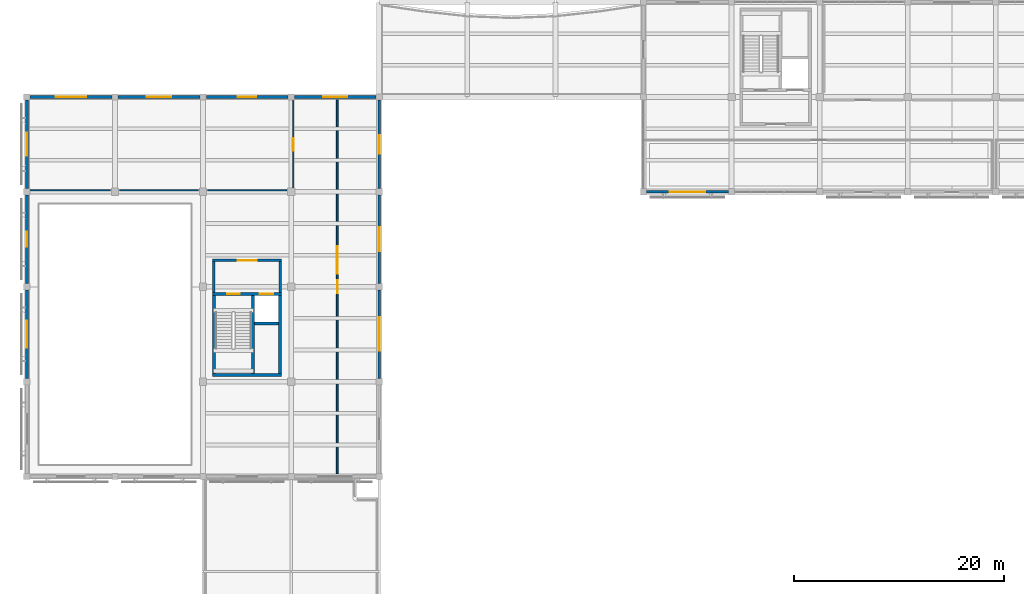
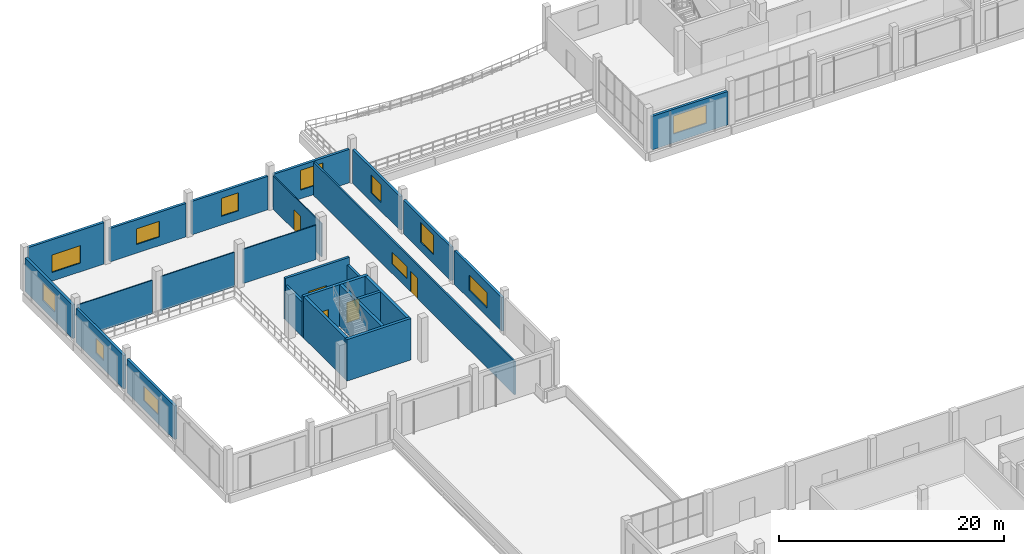
# One storey, part 59 of 80: 25 walls, 12 windows, 5 doors, 17 openings.
"""IFC4 building model written with IfcOpenShell, lengths in metres."""

import ifcopenshell
import ifcopenshell.guid

model = None  # the IFC model being written
_history = None  # IfcOwnerHistory: only IFC2X3 demands one
_inside = {}  # id of a spatial element -> (the spatial element, [elements in it])
_under = {}  # id of a project, library or spatial element -> (it, [spatial elements below it])
_declared = {}  # id of a project -> (the project, [libraries it declares])
_typed = {}  # id of a type object -> (the type object, [elements of that type])
_made_of = {}  # id of a material, layer set ... -> (it, [elements and type objects made of it])


def new_model(schema):
    """Start an empty IFC model of exactly this schema.

    Asked for "IFC4X3", IfcOpenShell would pick the latest addendum, in which some entities
    have other attributes; the version numbers below select the first issue.
    IFC2X3 requires an IfcOwnerHistory on every rooted entity: one is made here for all.
    """
    global model, _history
    if schema == "IFC4X3":
        model = ifcopenshell.file(schema_version=(4, 3, 0, 0))
    else:
        model = ifcopenshell.file(schema=schema)
    _inside.clear()
    _under.clear()
    _declared.clear()
    _typed.clear()
    _made_of.clear()
    _history = None
    if model.schema == "IFC2X3":
        org = make("IfcOrganization", Name="unknown")
        user = make(
            "IfcPersonAndOrganization",
            ThePerson=make("IfcPerson", FamilyName="unknown"),
            TheOrganization=org,
        )
        app = make(
            "IfcApplication",
            ApplicationDeveloper=org,
            Version="unknown",
            ApplicationFullName="unknown",
            ApplicationIdentifier="unknown",
        )
        _history = make(
            "IfcOwnerHistory",
            OwningUser=user,
            OwningApplication=app,
            ChangeAction="ADDED",
            CreationDate=0,
        )
    return model


def make(cls, **values):
    """One entity of the class cls with the attributes given. An attribute that is None is left unset."""
    return model.create_entity(
        cls, **{name: value for name, value in values.items() if value is not None}
    )


def rooted(cls, **values):
    """An entity with a GlobalId (a new one), such as an element, a storey or a relation."""
    return make(cls, GlobalId=ifcopenshell.guid.new(), OwnerHistory=_history, **values)


def si_unit(unit_type, name, prefix=None):
    """IfcSIUnit, for example si_unit("LENGTHUNIT", "METRE", prefix="MILLI")."""
    return make("IfcSIUnit", UnitType=unit_type, Prefix=prefix, Name=name)


def assignment(units):
    """IfcUnitAssignment: the units of a project."""
    return None if units is None else make("IfcUnitAssignment", Units=units)


def point(xyz):
    """IfcCartesianPoint."""
    return None if xyz is None else make("IfcCartesianPoint", Coordinates=xyz)


def direction(xyz):
    """IfcDirection."""
    return None if xyz is None else make("IfcDirection", DirectionRatios=xyz)


def frame(location, z_axis=None, x_axis=None):
    """IfcAxis2Placement3D, a coordinate frame: its origin and axes. An axis left out is left unset."""
    return make(
        "IfcAxis2Placement3D",
        Location=point(location),
        Axis=direction(z_axis),
        RefDirection=direction(x_axis),
    )


def frame_2d(location, x_axis=None):
    """IfcAxis2Placement2D, a coordinate frame in the plane: its origin and x axis."""
    return make(
        "IfcAxis2Placement2D", Location=point(location), RefDirection=direction(x_axis)
    )


def origin():
    """The frame at (0, 0, 0) with its axes left unset."""
    return frame((0.0, 0.0, 0.0))


def place(relative_to, where):
    """IfcLocalPlacement: puts the frame where relative to a parent placement (None: the world)."""
    return make(
        "IfcLocalPlacement", PlacementRelTo=relative_to, RelativePlacement=where
    )


def context(
    kind, dimensions, precision=None, world=None, true_north=None, identifier=None
):
    """IfcGeometricRepresentationContext, for example the 3D "Model" context."""
    return make(
        "IfcGeometricRepresentationContext",
        ContextIdentifier=identifier,
        ContextType=kind,
        CoordinateSpaceDimension=dimensions,
        Precision=precision,
        WorldCoordinateSystem=world,
        TrueNorth=true_north,
    )


def subcontext(parent, identifier, kind, view, scale=None):
    """IfcGeometricRepresentationSubContext, for example "Body" below "Model"."""
    return make(
        "IfcGeometricRepresentationSubContext",
        ContextIdentifier=identifier,
        ContextType=kind,
        ParentContext=parent,
        TargetScale=scale,
        TargetView=view,
    )


def project(units=None, contexts=None):
    """IfcProject with its units and contexts."""
    return rooted(
        "IfcProject",
        Name="project",
        RepresentationContexts=contexts,
        UnitsInContext=assignment(units),
    )


def spatial(cls, under=None, at=None, **own):
    """A site, building, storey or space (cls), placed at a placement, below another one or the project."""
    s = rooted(cls, ObjectPlacement=at, **own)
    if under is not None:
        _under.setdefault(under.id(), (under, []))[1].append(s)
    return s


def profile(cls, at=None, kind="AREA", **sizes):
    """A parametric profile (cls). Its sizes go by their IFC names, for example OverallWidth=200.0."""
    return make(cls, ProfileType=kind, Position=at, **sizes)


def rectangle(**sizes):
    """IfcRectangleProfileDef."""
    return profile("IfcRectangleProfileDef", **sizes)


def extrude(swept, where, along, depth):
    """IfcExtrudedAreaSolid: the profile swept, set in the frame where, extruded along a direction by depth."""
    return make(
        "IfcExtrudedAreaSolid",
        SweptArea=swept,
        Position=where,
        ExtrudedDirection=direction(along),
        Depth=depth,
    )


def shape(context_of_items, identifier, shape_type, items):
    """IfcShapeRepresentation: the items that make up one representation, for example the "Body"."""
    return make(
        "IfcShapeRepresentation",
        ContextOfItems=context_of_items,
        RepresentationIdentifier=identifier,
        RepresentationType=shape_type,
        Items=items,
    )


def material(Name=None, Category=None):
    """IfcMaterial."""
    return make("IfcMaterial", Name=Name, Category=Category)


def layer(
    of_material, thickness, ventilated=None, Name=None, Category=None, Priority=None
):
    """IfcMaterialLayer: one layer of a wall or slab, of a material (None: an air gap)."""
    return make(
        "IfcMaterialLayer",
        Material=of_material,
        LayerThickness=thickness,
        IsVentilated=ventilated,
        Name=Name,
        Category=Category,
        Priority=Priority,
    )


def layer_set(layers, Name=None):
    """IfcMaterialLayerSet."""
    return make("IfcMaterialLayerSet", MaterialLayers=layers, LayerSetName=Name)


def made_of(thing, what):
    """Note that an element or type object is made of a material, layer set ...; save() writes the relation."""
    if what is not None:
        _made_of.setdefault(what.id(), (what, []))[1].append(thing)
    return thing


def type_object(cls, material=None, **own):
    """A type object (cls), such as IfcWallType, which elements share."""
    return made_of(rooted(cls, **own), material)


def element(
    cls,
    number,
    at=None,
    inside=None,
    cuts=None,
    type_object=None,
    material=None,
    context=None,
    identifier="Body",
    shape_type=None,
    held_by="IfcProductDefinitionShape",
    body=None,
    shapes=None,
    **own,
):
    """One element of the class cls, such as IfcWall. Its Tag is "e" and its number.

    at: its placement. inside: the storey or other place that contains it. cuts: it is an
    opening in that element (IfcRelVoidsElement). A single representation is given by context,
    identifier, shape_type and body (its items); several are given by shapes. held_by: the class
    of the entity that holds the representations. save() writes the other relations.
    """
    e = rooted(cls, Tag="e%d" % number, ObjectPlacement=at, **own)
    if body is not None:
        shapes = [shape(context, identifier, shape_type, body)]
    if shapes is not None:
        e.Representation = make(held_by, Representations=shapes)
    if inside is not None:
        _inside.setdefault(inside.id(), (inside, []))[1].append(e)
    if cuts is not None:
        rooted(
            "IfcRelVoidsElement", RelatingBuildingElement=cuts, RelatedOpeningElement=e
        )
    if type_object is not None:
        _typed.setdefault(type_object.id(), (type_object, []))[1].append(e)
    return made_of(e, material)


def fill(opening, filler):
    """IfcRelFillsElement: the door or window that sits in an opening."""
    return rooted(
        "IfcRelFillsElement",
        RelatingOpeningElement=opening,
        RelatedBuildingElement=filler,
    )


def aggregate(whole, parts):
    """IfcRelAggregates: a whole, such as a stair, and the parts it consists of."""
    return rooted("IfcRelAggregates", RelatingObject=whole, RelatedObjects=parts)


def save(model, path):
    """Write the relations noted so far, then the file.

    IfcRelAggregates (storeys below a building ...), IfcRelContainedInSpatialStructure (elements
    in a storey), IfcRelDefinesByType, IfcRelAssociatesMaterial and IfcRelDeclares: one each for
    every whole, place, type object, material and project.
    """
    for whole, parts in _under.values():
        aggregate(whole, parts)
    for where, things in _inside.values():
        rooted(
            "IfcRelContainedInSpatialStructure",
            RelatedElements=things,
            RelatingStructure=where,
        )
    for kind, things in _typed.values():
        rooted("IfcRelDefinesByType", RelatedObjects=things, RelatingType=kind)
    for what, things in _made_of.values():
        rooted("IfcRelAssociatesMaterial", RelatedObjects=things, RelatingMaterial=what)
    for by, libraries in _declared.values():
        rooted("IfcRelDeclares", RelatingContext=by, RelatedDefinitions=libraries)
    model.write(path)


model = new_model("IFC4")

# Units and contexts
model_context = context("Model", 3, precision=1e-05, world=origin(), true_north=direction((0.0, 1.0)))
body_context = subcontext(model_context, "Body", "Model", "MODEL_VIEW")
ifc_project = project(units=[si_unit("LENGTHUNIT", "METRE"), si_unit("AREAUNIT", "SQUARE_METRE"), si_unit("VOLUMEUNIT", "CUBIC_METRE"), si_unit("PLANEANGLEUNIT", "RADIAN"), si_unit("MASSUNIT", "GRAM", prefix="KILO")], contexts=[model_context])

# Site, building, storey
site_placement = place(None, origin())
site = spatial("IfcSite", under=ifc_project, at=site_placement, CompositionType="ELEMENT")
building_placement = place(site_placement, origin())
building = spatial("IfcBuilding", under=site, at=building_placement, Name="Khurvash Pelagic Aquarium", CompositionType="ELEMENT")
storey_placement = place(building_placement, frame((0.0, 0.0, 10.800048828125)))
storey = spatial("IfcBuildingStorey", under=building, at=storey_placement, Name="L02", CompositionType="ELEMENT", Elevation=10.800048828125)

# Wall, opening, window
ifc_material_1 = material(Name="Glass-fibre reinforced concrete C40/50", Category="concrete")
ifc_layer_1 = layer(ifc_material_1, 0.260009765625)
ifc_layer_set_1 = layer_set([ifc_layer_1], Name="Glass-fibre reinforced concrete C40/50")
wall_type_1 = type_object("IfcWallType", Name="EW-260", PredefinedType="STANDARD", material=ifc_layer_set_1)
wall_1_placement = place(storey_placement, frame((59.10498046875, 84.050048828125, 0.0), z_axis=(0.0, 0.0, 1.0), x_axis=(1.0, 0.0, 0.0)))
wall_1 = element("IfcWall", 1, at=wall_1_placement, inside=storey, type_object=wall_type_1, Name="L02 Exterior Architectural Facade Wall EW-260 0083", PredefinedType="STANDARD", context=body_context, shape_type="SweptSolid", body=[
    extrude(rectangle(XDim=7.7900390625, YDim=0.260009765625, at=frame_2d((3.89501953125, 0.0))), origin(), (0.0, 0.0, 1.0), 3.6298828125),
])
opening_1_placement = place(wall_1_placement, frame((2.215087890625, 0.0, 0.949951171875)))
opening_1 = element("IfcOpeningElement", 2, at=opening_1_placement, cuts=wall_1, Name="Opening WN-42", PredefinedType="OPENING", context=body_context, shape_type="SweptSolid", body=[
    extrude(rectangle(XDim=3.360107421875, YDim=1.9599609375, at=frame_2d((1.68017578125, 0.97998046875))), frame((0.0, 0.14013671875, 0.0), z_axis=(0.0, -1.0, 0.0), x_axis=(1.0, 0.0, 0.0)), (0.0, 0.0, 1.0), 0.280029296875),
])
ifc_material_2 = material(Name="Thermally broken aluminium and low-E glass", Category="aluminium")
window_type_1 = type_object("IfcWindowType", Name="WN-42", PartitioningType="SINGLE_PANEL", PredefinedType="WINDOW", material=ifc_material_2)
window_1_placement = place(opening_1_placement, origin())
window_1 = element("IfcWindow", 3, at=window_1_placement, inside=storey, type_object=window_type_1, Name="L02 Facade Window WN-42 0045", OverallHeight=1.9599609375, OverallWidth=3.360107421875, PartitioningType="SINGLE_PANEL", PredefinedType="WINDOW", context=body_context, shape_type="SweptSolid", body=[
    extrude(rectangle(XDim=3.360107421875, YDim=1.9599609375, at=frame_2d((1.68017578125, 0.97998046875))), frame((0.0, 0.030029296875, 0.0), z_axis=(0.0, -1.0, 0.0), x_axis=(1.0, 0.0, 0.0)), (0.0, 0.0, 1.0), 0.06005859375),
])
fill(opening_1, window_1)

wall_2_placement = place(storey_placement, frame((0.0, 92.794921875, 0.0), z_axis=(0.0, 0.0, 1.0), x_axis=(0.0, -1.0, 0.0)))
wall_2 = element("IfcWall", 4, at=wall_2_placement, inside=storey, type_object=wall_type_1, Name="L02 Exterior Architectural Facade Wall EW-260 0091", PredefinedType="STANDARD", context=body_context, shape_type="SweptSolid", body=[
    extrude(rectangle(XDim=8.43994140625, YDim=0.260009765625, at=frame_2d((4.219970703125, 0.0))), origin(), (0.0, 0.0, 1.0), 3.64990234375),
])
opening_2_placement = place(wall_2_placement, frame((3.1201171875, 0.0, 0.949951171875)))
opening_2 = element("IfcOpeningElement", 5, at=opening_2_placement, cuts=wall_2, Name="Opening WN-08", PredefinedType="OPENING", context=body_context, shape_type="SweptSolid", body=[
    extrude(rectangle(XDim=2.199951171875, YDim=1.89990234375, at=frame_2d((1.10009765625, 0.949951171875))), frame((0.0, 0.14013671875, 0.0), z_axis=(0.0, -1.0, 0.0), x_axis=(1.0, 0.0, 0.0)), (0.0, 0.0, 1.0), 0.280029296875),
])
window_type_2 = type_object("IfcWindowType", Name="WN-08", PartitioningType="SINGLE_PANEL", PredefinedType="WINDOW", material=ifc_material_2)
window_2_placement = place(opening_2_placement, origin())
window_2 = element("IfcWindow", 6, at=window_2_placement, inside=storey, type_object=window_type_2, Name="L02 Facade Window WN-08 0053", OverallHeight=1.89990234375, OverallWidth=2.199951171875, PartitioningType="SINGLE_PANEL", PredefinedType="WINDOW", context=body_context, shape_type="SweptSolid", body=[
    extrude(rectangle(XDim=2.199951171875, YDim=1.89990234375, at=frame_2d((1.10009765625, 0.949951171875))), frame((0.0, 0.030029296875, 0.0), z_axis=(0.0, -1.0, 0.0), x_axis=(1.0, 0.0, 0.0)), (0.0, 0.0, 1.0), 0.06005859375),
])
fill(opening_2, window_2)

wall_3_placement = place(storey_placement, frame((0.0, 83.7451171875, 0.0), z_axis=(0.0, 0.0, 1.0), x_axis=(0.0, -1.0, 0.0)))
wall_3 = element("IfcWall", 7, at=wall_3_placement, inside=storey, type_object=wall_type_1, Name="L02 Exterior Architectural Facade Wall EW-260 0092", PredefinedType="STANDARD", context=body_context, shape_type="SweptSolid", body=[
    extrude(rectangle(XDim=8.440185546875, YDim=0.260009765625, at=frame_2d((4.22021484375, 0.0))), origin(), (0.0, 0.0, 1.0), 3.64990234375),
])
opening_3_placement = place(wall_3_placement, frame((3.52001953125, 0.0, 0.949951171875)))
opening_3 = element("IfcOpeningElement", 8, at=opening_3_placement, cuts=wall_3, Name="Opening WN-10", PredefinedType="OPENING", context=body_context, shape_type="SweptSolid", body=[
    extrude(rectangle(XDim=1.39990234375, YDim=1.60009765625, at=frame_2d((0.699951171875, 0.800048828125))), frame((0.0, 0.14013671875, 0.0), z_axis=(0.0, -1.0, 0.0), x_axis=(1.0, 0.0, 0.0)), (0.0, 0.0, 1.0), 0.280029296875),
])
window_type_3 = type_object("IfcWindowType", Name="WN-10", PartitioningType="SINGLE_PANEL", PredefinedType="WINDOW", material=ifc_material_2)
window_3_placement = place(opening_3_placement, origin())
window_3 = element("IfcWindow", 9, at=window_3_placement, inside=storey, type_object=window_type_3, Name="L02 Facade Window WN-10 0054", OverallHeight=1.60009765625, OverallWidth=1.39990234375, PartitioningType="SINGLE_PANEL", PredefinedType="WINDOW", context=body_context, shape_type="SweptSolid", body=[
    extrude(rectangle(XDim=1.39990234375, YDim=1.60009765625, at=frame_2d((0.699951171875, 0.800048828125))), frame((0.0, 0.030029296875, 0.0), z_axis=(0.0, -1.0, 0.0), x_axis=(1.0, 0.0, 0.0)), (0.0, 0.0, 1.0), 0.06005859375),
])
fill(opening_3, window_3)

wall_4_placement = place(storey_placement, frame((0.0, 74.695068359375, 0.0), z_axis=(0.0, 0.0, 1.0), x_axis=(0.0, -1.0, 0.0)))
wall_4 = element("IfcWall", 10, at=wall_4_placement, inside=storey, type_object=wall_type_1, Name="L02 Exterior Architectural Facade Wall EW-260 0093", PredefinedType="STANDARD", context=body_context, shape_type="SweptSolid", body=[
    extrude(rectangle(XDim=8.440185546875, YDim=0.260009765625, at=frame_2d((4.22021484375, 0.0))), origin(), (0.0, 0.0, 1.0), 3.64990234375),
])
opening_4_placement = place(wall_4_placement, frame((2.919921875, 0.0, 0.949951171875)))
opening_4 = element("IfcOpeningElement", 11, at=opening_4_placement, cuts=wall_4, Name="Opening WN-12", PredefinedType="OPENING", context=body_context, shape_type="SweptSolid", body=[
    extrude(rectangle(XDim=2.60009765625, YDim=1.60009765625, at=frame_2d((1.300048828125, 0.800048828125))), frame((0.0, 0.14013671875, 0.0), z_axis=(0.0, -1.0, 0.0), x_axis=(1.0, 0.0, 0.0)), (0.0, 0.0, 1.0), 0.280029296875),
])
window_type_4 = type_object("IfcWindowType", Name="WN-12", PartitioningType="SINGLE_PANEL", PredefinedType="WINDOW", material=ifc_material_2)
window_4_placement = place(opening_4_placement, origin())
window_4 = element("IfcWindow", 12, at=window_4_placement, inside=storey, type_object=window_type_4, Name="L02 Facade Window WN-12 0055", OverallHeight=1.60009765625, OverallWidth=2.60009765625, PartitioningType="SINGLE_PANEL", PredefinedType="WINDOW", context=body_context, shape_type="SweptSolid", body=[
    extrude(rectangle(XDim=2.60009765625, YDim=1.60009765625, at=frame_2d((1.300048828125, 0.800048828125))), frame((0.0, 0.030029296875, 0.0), z_axis=(0.0, -1.0, 0.0), x_axis=(1.0, 0.0, 0.0)), (0.0, 0.0, 1.0), 0.06005859375),
])
fill(opening_4, window_4)

wall_5_placement = place(storey_placement, frame((33.60009765625, 66.2548828125, 0.0), z_axis=(0.0, 0.0, 1.0), x_axis=(0.0, 1.0, 0.0)))
wall_5 = element("IfcWall", 13, at=wall_5_placement, inside=storey, type_object=wall_type_1, Name="L02 Exterior Architectural Facade Wall EW-260 0100", PredefinedType="STANDARD", context=body_context, shape_type="SweptSolid", body=[
    extrude(rectangle(XDim=8.440185546875, YDim=0.260009765625, at=frame_2d((4.22021484375, 0.0))), origin(), (0.0, 0.0, 1.0), 3.64990234375),
])
opening_5_placement = place(wall_5_placement, frame((2.6201171875, 0.0, 0.949951171875)))
opening_5 = element("IfcOpeningElement", 14, at=opening_5_placement, cuts=wall_5, Name="Opening WN-18", PredefinedType="OPENING", context=body_context, shape_type="SweptSolid", body=[
    extrude(rectangle(XDim=3.199951171875, YDim=1.64990234375, at=frame_2d((1.60009765625, 0.824951171875))), frame((0.0, 0.14013671875, 0.0), z_axis=(0.0, -1.0, 0.0), x_axis=(1.0, 0.0, 0.0)), (0.0, 0.0, 1.0), 0.280029296875),
])
window_type_5 = type_object("IfcWindowType", Name="WN-18", PartitioningType="SINGLE_PANEL", PredefinedType="WINDOW", material=ifc_material_2)
window_5_placement = place(opening_5_placement, origin())
window_5 = element("IfcWindow", 15, at=window_5_placement, inside=storey, type_object=window_type_5, Name="L02 Facade Window WN-18 0062", OverallHeight=1.64990234375, OverallWidth=3.199951171875, PartitioningType="SINGLE_PANEL", PredefinedType="WINDOW", context=body_context, shape_type="SweptSolid", body=[
    extrude(rectangle(XDim=3.199951171875, YDim=1.64990234375, at=frame_2d((1.60009765625, 0.824951171875))), frame((0.0, 0.030029296875, 0.0), z_axis=(0.0, -1.0, 0.0), x_axis=(1.0, 0.0, 0.0)), (0.0, 0.0, 1.0), 0.06005859375),
])
fill(opening_5, window_5)

wall_6_placement = place(storey_placement, frame((33.60009765625, 75.304931640625, 0.0), z_axis=(0.0, 0.0, 1.0), x_axis=(0.0, 1.0, 0.0)))
wall_6 = element("IfcWall", 16, at=wall_6_placement, inside=storey, type_object=wall_type_1, Name="L02 Exterior Architectural Facade Wall EW-260 0101", PredefinedType="STANDARD", context=body_context, shape_type="SweptSolid", body=[
    extrude(rectangle(XDim=8.440185546875, YDim=0.260009765625, at=frame_2d((4.22021484375, 0.0))), origin(), (0.0, 0.0, 1.0), 3.64990234375),
])
opening_6_placement = place(wall_6_placement, frame((3.070068359375, 0.0, 0.949951171875)))
opening_6 = element("IfcOpeningElement", 17, at=opening_6_placement, cuts=wall_6, Name="Opening WN-20", PredefinedType="OPENING", context=body_context, shape_type="SweptSolid", body=[
    extrude(rectangle(XDim=2.300048828125, YDim=2.14990234375, at=frame_2d((1.14990234375, 1.074951171875))), frame((0.0, 0.14013671875, 0.0), z_axis=(0.0, -1.0, 0.0), x_axis=(1.0, 0.0, 0.0)), (0.0, 0.0, 1.0), 0.280029296875),
])
window_type_6 = type_object("IfcWindowType", Name="WN-20", PartitioningType="SINGLE_PANEL", PredefinedType="WINDOW", material=ifc_material_2)
window_6_placement = place(opening_6_placement, origin())
window_6 = element("IfcWindow", 18, at=window_6_placement, inside=storey, type_object=window_type_6, Name="L02 Facade Window WN-20 0063", OverallHeight=2.14990234375, OverallWidth=2.300048828125, PartitioningType="SINGLE_PANEL", PredefinedType="WINDOW", context=body_context, shape_type="SweptSolid", body=[
    extrude(rectangle(XDim=2.300048828125, YDim=2.14990234375, at=frame_2d((1.14990234375, 1.074951171875))), frame((0.0, 0.030029296875, 0.0), z_axis=(0.0, -1.0, 0.0), x_axis=(1.0, 0.0, 0.0)), (0.0, 0.0, 1.0), 0.06005859375),
])
fill(opening_6, window_6)

wall_7_placement = place(storey_placement, frame((33.60009765625, 84.35498046875, 0.0), z_axis=(0.0, 0.0, 1.0), x_axis=(0.0, 1.0, 0.0)))
wall_7 = element("IfcWall", 19, at=wall_7_placement, inside=storey, type_object=wall_type_1, Name="L02 Exterior Architectural Facade Wall EW-260 0102", PredefinedType="STANDARD", context=body_context, shape_type="SweptSolid", body=[
    extrude(rectangle(XDim=8.43994140625, YDim=0.260009765625, at=frame_2d((4.219970703125, 0.0))), origin(), (0.0, 0.0, 1.0), 3.64990234375),
])
opening_7_placement = place(wall_7_placement, frame((3.344970703125, 0.0, 0.949951171875)))
opening_7 = element("IfcOpeningElement", 20, at=opening_7_placement, cuts=wall_7, Name="Opening WN-22", PredefinedType="OPENING", context=body_context, shape_type="SweptSolid", body=[
    extrude(rectangle(XDim=1.75, YDim=1.949951171875, at=frame_2d((0.875, 0.97509765625))), frame((0.0, 0.14013671875, 0.0), z_axis=(0.0, -1.0, 0.0), x_axis=(1.0, 0.0, 0.0)), (0.0, 0.0, 1.0), 0.280029296875),
])
window_type_7 = type_object("IfcWindowType", Name="WN-22", PartitioningType="SINGLE_PANEL", PredefinedType="WINDOW", material=ifc_material_2)
window_7_placement = place(opening_7_placement, origin())
window_7 = element("IfcWindow", 21, at=window_7_placement, inside=storey, type_object=window_type_7, Name="L02 Facade Window WN-22 0064", OverallHeight=1.949951171875, OverallWidth=1.75, PartitioningType="SINGLE_PANEL", PredefinedType="WINDOW", context=body_context, shape_type="SweptSolid", body=[
    extrude(rectangle(XDim=1.75, YDim=1.949951171875, at=frame_2d((0.875, 0.97509765625))), frame((0.0, 0.030029296875, 0.0), z_axis=(0.0, -1.0, 0.0), x_axis=(1.0, 0.0, 0.0)), (0.0, 0.0, 1.0), 0.06005859375),
])
fill(opening_7, window_7)

wall_8_placement = place(storey_placement, frame((33.294921875, 93.10009765625, 0.0), z_axis=(0.0, 0.0, 1.0), x_axis=(-1.0, 0.0, 0.0)))
wall_8 = element("IfcWall", 22, at=wall_8_placement, inside=storey, type_object=wall_type_1, Name="L02 Exterior Architectural Facade Wall EW-260 0103", PredefinedType="STANDARD", context=body_context, shape_type="SweptSolid", body=[
    extrude(rectangle(XDim=7.7900390625, YDim=0.260009765625, at=frame_2d((3.89501953125, 0.0))), origin(), (0.0, 0.0, 1.0), 3.6298828125),
])
opening_8_placement = place(wall_8_placement, frame((2.7451171875, 0.0, 0.949951171875)))
opening_8 = element("IfcOpeningElement", 23, at=opening_8_placement, cuts=wall_8, Name="Opening WN-20", PredefinedType="OPENING", context=body_context, shape_type="SweptSolid", body=[
    extrude(rectangle(XDim=2.300048828125, YDim=2.14990234375, at=frame_2d((1.14990234375, 1.074951171875))), frame((0.0, 0.14013671875, 0.0), z_axis=(0.0, -1.0, 0.0), x_axis=(1.0, 0.0, 0.0)), (0.0, 0.0, 1.0), 0.280029296875),
])
window_8_placement = place(opening_8_placement, origin())
window_8 = element("IfcWindow", 24, at=window_8_placement, inside=storey, type_object=window_type_6, Name="L02 Facade Window WN-20 0065", OverallHeight=2.14990234375, OverallWidth=2.300048828125, PartitioningType="SINGLE_PANEL", PredefinedType="WINDOW", context=body_context, shape_type="SweptSolid", body=[
    extrude(rectangle(XDim=2.300048828125, YDim=2.14990234375, at=frame_2d((1.14990234375, 1.074951171875))), frame((0.0, 0.030029296875, 0.0), z_axis=(0.0, -1.0, 0.0), x_axis=(1.0, 0.0, 0.0)), (0.0, 0.0, 1.0), 0.06005859375),
])
fill(opening_8, window_8)

wall_9_placement = place(storey_placement, frame((24.89501953125, 93.10009765625, 0.0), z_axis=(0.0, 0.0, 1.0), x_axis=(-1.0, 0.0, 0.0)))
wall_9 = element("IfcWall", 25, at=wall_9_placement, inside=storey, type_object=wall_type_1, Name="L02 Exterior Architectural Facade Wall EW-260 0104", PredefinedType="STANDARD", context=body_context, shape_type="SweptSolid", body=[
    extrude(rectangle(XDim=7.7900390625, YDim=0.260009765625, at=frame_2d((3.89501953125, 0.0))), origin(), (0.0, 0.0, 1.0), 3.6298828125),
])
opening_9_placement = place(wall_9_placement, frame((3.02001953125, 0.0, 0.949951171875)))
opening_9 = element("IfcOpeningElement", 26, at=opening_9_placement, cuts=wall_9, Name="Opening WN-22", PredefinedType="OPENING", context=body_context, shape_type="SweptSolid", body=[
    extrude(rectangle(XDim=1.75, YDim=1.949951171875, at=frame_2d((0.875, 0.97509765625))), frame((0.0, 0.14013671875, 0.0), z_axis=(0.0, -1.0, 0.0), x_axis=(1.0, 0.0, 0.0)), (0.0, 0.0, 1.0), 0.280029296875),
])
window_9_placement = place(opening_9_placement, origin())
window_9 = element("IfcWindow", 27, at=window_9_placement, inside=storey, type_object=window_type_7, Name="L02 Facade Window WN-22 0066", OverallHeight=1.949951171875, OverallWidth=1.75, PartitioningType="SINGLE_PANEL", PredefinedType="WINDOW", context=body_context, shape_type="SweptSolid", body=[
    extrude(rectangle(XDim=1.75, YDim=1.949951171875, at=frame_2d((0.875, 0.97509765625))), frame((0.0, 0.030029296875, 0.0), z_axis=(0.0, -1.0, 0.0), x_axis=(1.0, 0.0, 0.0)), (0.0, 0.0, 1.0), 0.06005859375),
])
fill(opening_9, window_9)

wall_10_placement = place(storey_placement, frame((16.4951171875, 93.10009765625, 0.0), z_axis=(0.0, 0.0, 1.0), x_axis=(-1.0, 0.0, 0.0)))
wall_10 = element("IfcWall", 28, at=wall_10_placement, inside=storey, type_object=wall_type_1, Name="L02 Exterior Architectural Facade Wall EW-260 0105", PredefinedType="STANDARD", context=body_context, shape_type="SweptSolid", body=[
    extrude(rectangle(XDim=7.7900390625, YDim=0.260009765625, at=frame_2d((3.89501953125, 0.0))), origin(), (0.0, 0.0, 1.0), 3.6298828125),
])
opening_10_placement = place(wall_10_placement, frame((2.719970703125, 0.0, 0.949951171875)))
opening_10 = element("IfcOpeningElement", 29, at=opening_10_placement, cuts=wall_10, Name="Opening WN-24", PredefinedType="OPENING", context=body_context, shape_type="SweptSolid", body=[
    extrude(rectangle(XDim=2.35009765625, YDim=1.699951171875, at=frame_2d((1.175048828125, 0.85009765625))), frame((0.0, 0.14013671875, 0.0), z_axis=(0.0, -1.0, 0.0), x_axis=(1.0, 0.0, 0.0)), (0.0, 0.0, 1.0), 0.280029296875),
])
window_type_8 = type_object("IfcWindowType", Name="WN-24", PartitioningType="SINGLE_PANEL", PredefinedType="WINDOW", material=ifc_material_2)
window_10_placement = place(opening_10_placement, origin())
window_10 = element("IfcWindow", 30, at=window_10_placement, inside=storey, type_object=window_type_8, Name="L02 Facade Window WN-24 0067", OverallHeight=1.699951171875, OverallWidth=2.35009765625, PartitioningType="SINGLE_PANEL", PredefinedType="WINDOW", context=body_context, shape_type="SweptSolid", body=[
    extrude(rectangle(XDim=2.35009765625, YDim=1.699951171875, at=frame_2d((1.175048828125, 0.85009765625))), frame((0.0, 0.030029296875, 0.0), z_axis=(0.0, -1.0, 0.0), x_axis=(1.0, 0.0, 0.0)), (0.0, 0.0, 1.0), 0.06005859375),
])
fill(opening_10, window_10)

wall_11_placement = place(storey_placement, frame((8.094970703125, 93.10009765625, 0.0), z_axis=(0.0, 0.0, 1.0), x_axis=(-1.0, 0.0, 0.0)))
wall_11 = element("IfcWall", 31, at=wall_11_placement, inside=storey, type_object=wall_type_1, Name="L02 Exterior Architectural Facade Wall EW-260 0106", PredefinedType="STANDARD", context=body_context, shape_type="SweptSolid", body=[
    extrude(rectangle(XDim=7.7900390625, YDim=0.260009765625, at=frame_2d((3.89501953125, 0.0))), origin(), (0.0, 0.0, 1.0), 4.5),
])
opening_11_placement = place(wall_11_placement, frame((2.445068359375, 0.0, 0.949951171875)))
opening_11 = element("IfcOpeningElement", 32, at=opening_11_placement, cuts=wall_11, Name="Opening WN-26", PredefinedType="OPENING", context=body_context, shape_type="SweptSolid", body=[
    extrude(rectangle(XDim=2.89990234375, YDim=1.89990234375, at=frame_2d((1.449951171875, 0.949951171875))), frame((0.0, 0.14013671875, 0.0), z_axis=(0.0, -1.0, 0.0), x_axis=(1.0, 0.0, 0.0)), (0.0, 0.0, 1.0), 0.280029296875),
])
window_type_9 = type_object("IfcWindowType", Name="WN-26", PartitioningType="SINGLE_PANEL", PredefinedType="WINDOW", material=ifc_material_2)
window_11_placement = place(opening_11_placement, origin())
window_11 = element("IfcWindow", 33, at=window_11_placement, inside=storey, type_object=window_type_9, Name="L02 Facade Window WN-26 0068", OverallHeight=1.89990234375, OverallWidth=2.89990234375, PartitioningType="SINGLE_PANEL", PredefinedType="WINDOW", context=body_context, shape_type="SweptSolid", body=[
    extrude(rectangle(XDim=2.89990234375, YDim=1.89990234375, at=frame_2d((1.449951171875, 0.949951171875))), frame((0.0, 0.030029296875, 0.0), z_axis=(0.0, -1.0, 0.0), x_axis=(1.0, 0.0, 0.0)), (0.0, 0.0, 1.0), 0.06005859375),
])
fill(opening_11, window_11)

# Wall, opening, door
ifc_material_3 = material(Name="Ceramic-tiled wet-room partition", Category="masonry")
ifc_layer_2 = layer(ifc_material_3, 0.110107421875)
ifc_layer_set_2 = layer_set([ifc_layer_2], Name="Ceramic-tiled wet-room partition")
wall_type_2 = type_object("IfcWallType", Name="PW-110", PredefinedType="PARTITIONING", material=ifc_layer_set_2)
wall_12_placement = place(storey_placement, frame((25.39990234375, 84.2548828125, 0.0), z_axis=(0.0, 0.0, 1.0), x_axis=(0.0, 1.0, 0.0)))
wall_12 = element("IfcWall", 34, at=wall_12_placement, inside=storey, type_object=wall_type_2, Name="L02 Marine Biology Teaching Wet Laboratory 1 Partition Wall PW-110", PredefinedType="PARTITIONING", context=body_context, shape_type="SweptSolid", body=[
    extrude(rectangle(XDim=8.590087890625, YDim=0.110107421875, at=frame_2d((4.294921875, 0.0))), origin(), (0.0, 0.0, 1.0), 3.6298828125),
])
opening_12_placement = place(wall_12_placement, frame((3.705078125, 0.0, 0.0)))
opening_12 = element("IfcOpeningElement", 35, at=opening_12_placement, cuts=wall_12, Name="Opening ID-05", PredefinedType="OPENING", context=body_context, shape_type="SweptSolid", body=[
    extrude(rectangle(XDim=1.179931640625, YDim=2.199951171875, at=frame_2d((0.58984375, 1.10009765625))), frame((0.0, 0.06494140625, 0.0), z_axis=(0.0, -1.0, 0.0), x_axis=(1.0, 0.0, 0.0)), (0.0, 0.0, 1.0), 0.130126953125),
])
ifc_material_4 = material(Name="FRP moisture-resistant laboratory door", Category="wood")
door_type_1 = type_object("IfcDoorType", Name="ID-05", OperationType="NOTDEFINED", PredefinedType="DOOR", material=ifc_material_4)
door_1_placement = place(opening_12_placement, origin())
door_1 = element("IfcDoor", 36, at=door_1_placement, inside=storey, type_object=door_type_1, Name="DR-0161", OperationType="SINGLE_SWING_RIGHT", OverallHeight=2.199951171875, OverallWidth=1.179931640625, PredefinedType="DOOR", context=body_context, shape_type="SweptSolid", body=[
    extrude(rectangle(XDim=1.179931640625, YDim=2.199951171875, at=frame_2d((0.58984375, 1.10009765625))), frame((0.0, 0.02490234375, 0.0), z_axis=(0.0, -1.0, 0.0), x_axis=(1.0, 0.0, 0.0)), (0.0, 0.0, 1.0), 0.050048828125),
])
fill(opening_12, door_1)

# Walls
wall_13_placement = place(storey_placement, frame((0.195068359375, 84.199951171875, 0.0), z_axis=(0.0, 0.0, 1.0), x_axis=(1.0, 0.0, 0.0)))
element("IfcWall", 37, at=wall_13_placement, inside=storey, type_object=wall_type_2, Name="L02 Marine Biology Teaching Wet Laboratory 1 Partition Wall PW-110", PredefinedType="PARTITIONING", context=body_context, shape_type="SweptSolid", body=[
    extrude(rectangle(XDim=7.764892578125, YDim=0.110107421875, at=frame_2d((3.88232421875, 0.0))), origin(), (0.0, 0.0, 1.0), 3.6298828125),
])
for number, where, z_axis, x_axis, name in (
    (38, (8.840087890625, 84.199951171875, 0.0), (0.0, 0.0, 1.0), (1.0, 0.0, 0.0), "L02 Marine Biology Teaching Wet Laboratory 1 Partition Wall PW-110"),
    (39, (17.239990234375, 84.199951171875, 0.0), (0.0, 0.0, 1.0), (1.0, 0.0, 0.0), "L02 Marine Biology Teaching Wet Laboratory 1 Partition Wall PW-110"),
):
    element("IfcWall", number, at=place(storey_placement, frame(where, z_axis=z_axis, x_axis=x_axis)), inside=storey, type_object=wall_type_2, Name=name, PredefinedType="PARTITIONING", context=body_context, shape_type="SweptSolid", body=[
        extrude(rectangle(XDim=7.52001953125, YDim=0.110107421875, at=frame_2d((3.760009765625, 0.0))), origin(), (0.0, 0.0, 1.0), 3.72998046875),
    ])

# Wall, openings, door, window
ifc_material_5 = material(Name="AAC blockwork", Category="masonry")
ifc_layer_3 = layer(ifc_material_5, 0.169921875)
ifc_layer_set_3 = layer_set([ifc_layer_3], Name="AAC blockwork")
wall_type_3 = type_object("IfcWallType", Name="PW-170", PredefinedType="PARTITIONING", material=ifc_layer_set_3)
wall_14_placement = place(storey_placement, frame((29.60009765625, 57.18505859375, 0.0), z_axis=(0.0, 0.0, 1.0), x_axis=(0.0, 1.0, 0.0)))
wall_14 = element("IfcWall", 40, at=wall_14_placement, inside=storey, type_object=wall_type_3, Name="L02 Oceanographic Instrumentation Teaching Lab Partition Wall PW-170", PredefinedType="PARTITIONING", context=body_context, shape_type="SweptSolid", body=[
    extrude(rectangle(XDim=35.6298828125, YDim=0.169921875, at=frame_2d((17.81494140625, 0.0))), origin(), (0.0, 0.0, 1.0), 3.6298828125),
])
opening_13_placement = place(wall_14_placement, frame((17.195068359375, 0.0, 0.0)))
opening_13 = element("IfcOpeningElement", 41, at=opening_13_placement, cuts=wall_14, Name="Opening ID-06", PredefinedType="OPENING", context=body_context, shape_type="SweptSolid", body=[
    extrude(rectangle(XDim=1.239990234375, YDim=2.25, at=frame_2d((0.6201171875, 1.125))), frame((0.0, 0.094970703125, 0.0), z_axis=(0.0, -1.0, 0.0), x_axis=(1.0, 0.0, 0.0)), (0.0, 0.0, 1.0), 0.18994140625),
])
opening_14_placement = place(wall_14_placement, frame((19.034912109375, 0.0, 1.050048828125)))
opening_14 = element("IfcOpeningElement", 42, at=opening_14_placement, cuts=wall_14, Name="Opening IW-17", PredefinedType="OPENING", context=body_context, shape_type="SweptSolid", body=[
    extrude(rectangle(XDim=2.64990234375, YDim=1.280029296875, at=frame_2d((1.324951171875, 0.64013671875))), frame((0.0, 0.094970703125, 0.0), z_axis=(0.0, -1.0, 0.0), x_axis=(1.0, 0.0, 0.0)), (0.0, 0.0, 1.0), 0.18994140625),
])
ifc_material_6 = material(Name="FRP biosecure quarantine door", Category="wood")
door_type_2 = type_object("IfcDoorType", Name="ID-06", OperationType="NOTDEFINED", PredefinedType="DOOR", material=ifc_material_6)
door_2_placement = place(opening_13_placement, frame((1.239990234375, 0.0, 0.0), z_axis=(0.0, 0.0, 1.0), x_axis=(-1.0, 0.0, 0.0)))
door_2 = element("IfcDoor", 43, at=door_2_placement, inside=storey, type_object=door_type_2, Name="DR-0162", OperationType="SINGLE_SWING_LEFT", OverallHeight=2.25, OverallWidth=1.239990234375, PredefinedType="DOOR", context=body_context, shape_type="SweptSolid", body=[
    extrude(rectangle(XDim=1.239990234375, YDim=2.25, at=frame_2d((0.6201171875, 1.125))), frame((0.0, 0.02490234375, 0.0), z_axis=(0.0, -1.0, 0.0), x_axis=(1.0, 0.0, 0.0)), (0.0, 0.0, 1.0), 0.050048828125),
])
fill(opening_13, door_2)
ifc_material_7 = material(Name="Acoustic laminated interior observation glazing", Category="glass")
window_type_10 = type_object("IfcWindowType", Name="IW-17", PartitioningType="SINGLE_PANEL", PredefinedType="WINDOW", material=ifc_material_7)
window_12_placement = place(opening_14_placement, origin())
window_12 = element("IfcWindow", 44, at=window_12_placement, inside=storey, type_object=window_type_10, Name="L02 Oceanographic Instrumentation Teaching Lab Observation Window IW-17", OverallHeight=1.280029296875, OverallWidth=2.64990234375, PartitioningType="SINGLE_PANEL", PredefinedType="WINDOW", context=body_context, shape_type="SweptSolid", body=[
    extrude(rectangle(XDim=2.64990234375, YDim=1.280029296875, at=frame_2d((1.324951171875, 0.64013671875))), frame((0.0, 0.030029296875, 0.0), z_axis=(0.0, -1.0, 0.0), x_axis=(1.0, 0.0, 0.0)), (0.0, 0.0, 1.0), 0.06005859375),
])
fill(opening_14, window_12)

# Wall, opening, door
ifc_layer_4 = layer(ifc_material_5, 0.25)
ifc_layer_set_4 = layer_set([ifc_layer_4], Name="AAC blockwork")
wall_type_4 = type_object("IfcWallType", Name="PW-250", PredefinedType="PARTITIONING", material=ifc_layer_set_4)
wall_15_placement = place(storey_placement, frame((17.699951171875, 77.52490234375, 0.0), z_axis=(0.0, 0.0, 1.0), x_axis=(1.0, 0.0, 0.0)))
wall_15 = element("IfcWall", 45, at=wall_15_placement, inside=storey, type_object=wall_type_4, Name="L02 Core C5 Lobby Front Fire Wall PW-250", PredefinedType="PARTITIONING", context=body_context, shape_type="SweptSolid", body=[
    extrude(rectangle(XDim=6.60009765625, YDim=0.25, at=frame_2d((3.300048828125, 0.0))), origin(), (0.0, 0.0, 1.0), 4.5),
])
opening_15_placement = place(wall_15_placement, frame((2.39990234375, 0.0, 0.0)))
opening_15 = element("IfcOpeningElement", 46, at=opening_15_placement, cuts=wall_15, Name="Opening FD-02", PredefinedType="OPENING", context=body_context, shape_type="SweptSolid", body=[
    extrude(rectangle(XDim=1.800048828125, YDim=2.25, at=frame_2d((0.89990234375, 1.125))), frame((0.0, 0.135009765625, 0.0), z_axis=(0.0, -1.0, 0.0), x_axis=(1.0, 0.0, 0.0)), (0.0, 0.0, 1.0), 0.27001953125),
])
ifc_material_8 = material(Name="Galvanised steel double fire door", Category="steel")
door_type_3 = type_object("IfcDoorType", Name="FD-02", OperationType="DOUBLE_DOOR_SINGLE_SWING", PredefinedType="DOOR", material=ifc_material_8)
door_3_placement = place(opening_15_placement, origin())
door_3 = element("IfcDoor", 47, at=door_3_placement, inside=storey, type_object=door_type_3, Name="DR-0170", OperationType="DOUBLE_DOOR_SINGLE_SWING", OverallHeight=2.25, OverallWidth=1.800048828125, PredefinedType="DOOR", context=body_context, shape_type="SweptSolid", body=[
    extrude(rectangle(XDim=1.800048828125, YDim=2.25, at=frame_2d((0.89990234375, 1.125))), frame((0.0, 0.02490234375, 0.0), z_axis=(0.0, -1.0, 0.0), x_axis=(1.0, 0.0, 0.0)), (0.0, 0.0, 1.0), 0.050048828125),
])
fill(opening_15, door_3)

# Walls
for number, where, z_axis, x_axis, name in (
    (48, (17.824951171875, 74.449951171875, 0.0), (0.0, 0.0, 1.0), (0.0, 1.0, 0.0), "L02 Core C5 Lobby West Fire Wall PW-250"),
    (49, (24.175048828125, 74.449951171875, 0.0), (0.0, 0.0, 1.0), (0.0, 1.0, 0.0), "L02 Core C5 Lobby East Fire Wall PW-250"),
):
    element("IfcWall", number, at=place(storey_placement, frame(where, z_axis=z_axis, x_axis=x_axis)), inside=storey, type_object=wall_type_4, Name=name, PredefinedType="PARTITIONING", context=body_context, shape_type="SweptSolid", body=[
        extrude(rectangle(XDim=2.949951171875, YDim=0.25, at=frame_2d((1.47509765625, 0.0))), origin(), (0.0, 0.0, 1.0), 3.72998046875),
    ])
ifc_material_9 = material(Name="Concrete C40/50", Category="concrete")
ifc_layer_5 = layer(ifc_material_9, 0.27490234375)
ifc_layer_set_5 = layer_set([ifc_layer_5], Name="Concrete C40/50")
wall_type_5 = type_object("IfcWallType", Name="SW-275", PredefinedType="SHEAR", material=ifc_layer_set_5)
wall_16_placement = place(storey_placement, frame((21.699951171875, 71.512939453125, 0.0), z_axis=(0.0, 0.0, 1.0), x_axis=(1.0, 0.0, 0.0)))
element("IfcWall", 50, at=wall_16_placement, inside=storey, type_object=wall_type_5, Name="L02 Lift PL-02 Shaft Rear Shear Wall SW-275", PredefinedType="SHEAR", context=body_context, shape_type="SweptSolid", body=[
    extrude(rectangle(XDim=2.300048828125, YDim=0.27490234375, at=frame_2d((1.14990234375, 0.0))), origin(), (0.0, 0.0, 1.0), 4.5),
])
ifc_layer_6 = layer(ifc_material_9, 0.300048828125)
ifc_layer_set_6 = layer_set([ifc_layer_6], Name="Concrete C40/50")
wall_type_6 = type_object("IfcWallType", Name="SW-300", PredefinedType="SHEAR", material=ifc_layer_set_6)
wall_17_placement = place(storey_placement, frame((17.699951171875, 66.60009765625, 0.0), z_axis=(0.0, 0.0, 1.0), x_axis=(1.0, 0.0, 0.0)))
element("IfcWall", 51, at=wall_17_placement, inside=storey, type_object=wall_type_6, Name="L02 Core C5 South Shear Wall SW-300", PredefinedType="SHEAR", context=body_context, shape_type="SweptSolid", body=[
    extrude(rectangle(XDim=6.60009765625, YDim=0.300048828125, at=frame_2d((3.300048828125, 0.0))), origin(), (0.0, 0.0, 1.0), 4.5),
])

# Wall, openings, doors
wall_18_placement = place(storey_placement, frame((17.699951171875, 74.300048828125, 0.0), z_axis=(0.0, 0.0, 1.0), x_axis=(1.0, 0.0, 0.0)))
wall_18 = element("IfcWall", 52, at=wall_18_placement, inside=storey, type_object=wall_type_6, Name="L02 Core C5 North Shear Wall SW-300", PredefinedType="SHEAR", context=body_context, shape_type="SweptSolid", body=[
    extrude(rectangle(XDim=6.60009765625, YDim=0.300048828125, at=frame_2d((3.300048828125, 0.0))), origin(), (0.0, 0.0, 1.0), 4.5),
])
opening_16_placement = place(wall_18_placement, frame((1.425048828125, 0.0, 0.0)))
opening_16 = element("IfcOpeningElement", 53, at=opening_16_placement, cuts=wall_18, Name="Opening FD-01", PredefinedType="OPENING", context=body_context, shape_type="SweptSolid", body=[
    extrude(rectangle(XDim=1.14990234375, YDim=2.199951171875, at=frame_2d((0.574951171875, 1.10009765625))), frame((0.0, 0.16015625, 0.0), z_axis=(0.0, -1.0, 0.0), x_axis=(1.0, 0.0, 0.0)), (0.0, 0.0, 1.0), 0.320068359375),
])
opening_17_placement = place(wall_18_placement, frame((4.5, 0.0, 0.0)))
opening_17 = element("IfcOpeningElement", 54, at=opening_17_placement, cuts=wall_18, Name="Opening LD-02", PredefinedType="OPENING", context=body_context, shape_type="SweptSolid", body=[
    extrude(rectangle(XDim=1.300048828125, YDim=2.199951171875, at=frame_2d((0.64990234375, 1.10009765625))), frame((0.0, 0.16015625, 0.0), z_axis=(0.0, -1.0, 0.0), x_axis=(1.0, 0.0, 0.0)), (0.0, 0.0, 1.0), 0.320068359375),
])
ifc_material_10 = material(Name="Galvanised steel fire door", Category="steel")
door_type_4 = type_object("IfcDoorType", Name="FD-01", OperationType="NOTDEFINED", PredefinedType="DOOR", material=ifc_material_10)
door_4_placement = place(opening_16_placement, frame((1.14990234375, 0.0, 0.0), z_axis=(0.0, 0.0, 1.0), x_axis=(-1.0, 0.0, 0.0)))
door_4 = element("IfcDoor", 55, at=door_4_placement, inside=storey, type_object=door_type_4, Name="DR-0136", OperationType="SINGLE_SWING_RIGHT", OverallHeight=2.199951171875, OverallWidth=1.14990234375, PredefinedType="DOOR", context=body_context, shape_type="SweptSolid", body=[
    extrude(rectangle(XDim=1.14990234375, YDim=2.199951171875, at=frame_2d((0.574951171875, 1.10009765625))), frame((0.0, 0.02490234375, 0.0), z_axis=(0.0, -1.0, 0.0), x_axis=(1.0, 0.0, 0.0)), (0.0, 0.0, 1.0), 0.050048828125),
])
fill(opening_16, door_4)
ifc_material_11 = material(Name="Brushed stainless steel 316 lift landing door", Category="steel")
door_type_5 = type_object("IfcDoorType", Name="LD-02", OperationType="DOUBLE_DOOR_SLIDING", PredefinedType="DOOR", material=ifc_material_11)
door_5_placement = place(opening_17_placement, origin())
door_5 = element("IfcDoor", 56, at=door_5_placement, inside=storey, type_object=door_type_5, Name="DR-0142", OperationType="DOUBLE_DOOR_SLIDING", OverallHeight=2.199951171875, OverallWidth=1.300048828125, PredefinedType="DOOR", context=body_context, shape_type="SweptSolid", body=[
    extrude(rectangle(XDim=1.300048828125, YDim=2.199951171875, at=frame_2d((0.64990234375, 1.10009765625))), frame((0.0, 0.02490234375, 0.0), z_axis=(0.0, -1.0, 0.0), x_axis=(1.0, 0.0, 0.0)), (0.0, 0.0, 1.0), 0.050048828125),
])
fill(opening_17, door_5)

# Walls
for number, where, z_axis, x_axis, name in (
    (57, (17.85009765625, 66.75, 0.0), (0.0, 0.0, 1.0), (0.0, 1.0, 0.0), "L02 Core C5 West Shear Wall SW-300"),
    (58, (24.14990234375, 66.75, 0.0), (0.0, 0.0, 1.0), (0.0, 1.0, 0.0), "L02 Core C5 East Shear Wall SW-300"),
    (59, (21.550048828125, 66.75, 0.0), (0.0, 0.0, 1.0), (0.0, 1.0, 0.0), "L02 Core C5 Divider Shear Wall SW-300"),
):
    element("IfcWall", number, at=place(storey_placement, frame(where, z_axis=z_axis, x_axis=x_axis)), inside=storey, type_object=wall_type_6, Name=name, PredefinedType="SHEAR", context=body_context, shape_type="SweptSolid", body=[
        extrude(rectangle(XDim=7.39990234375, YDim=0.300048828125, at=frame_2d((3.699951171875, 0.0))), origin(), (0.0, 0.0, 1.0), 4.5),
    ])

save(model, "model.ifc")
